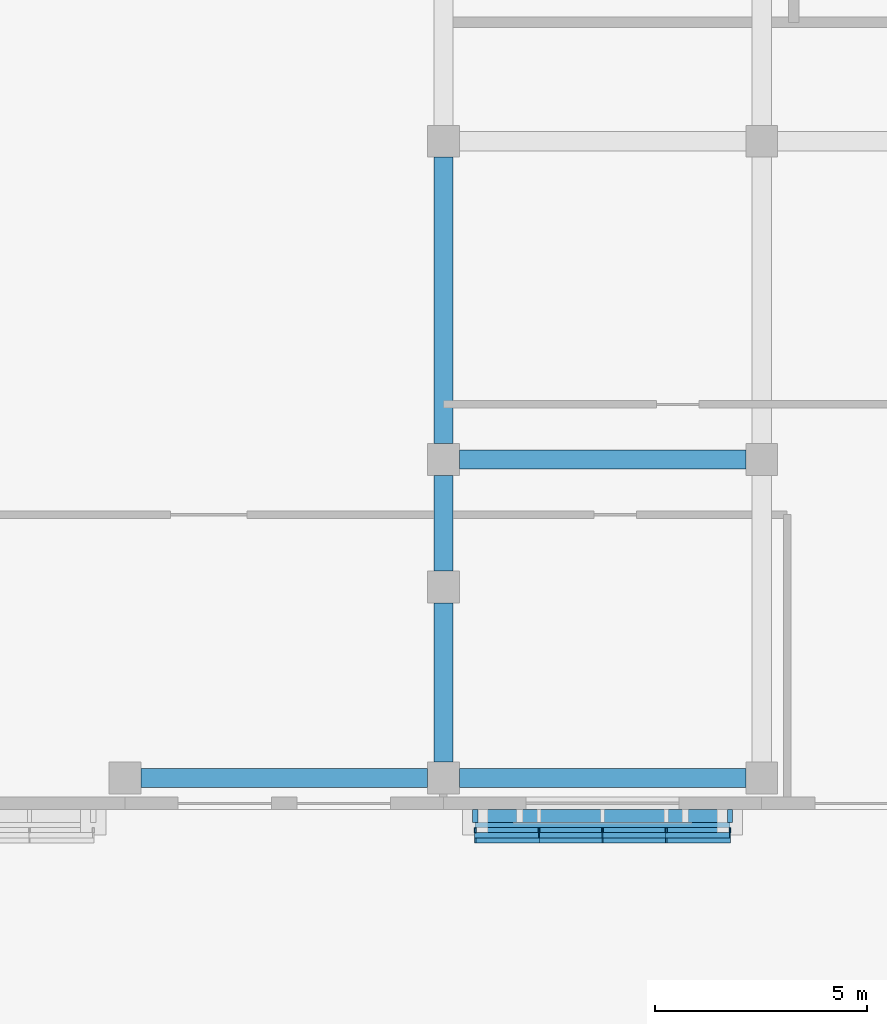
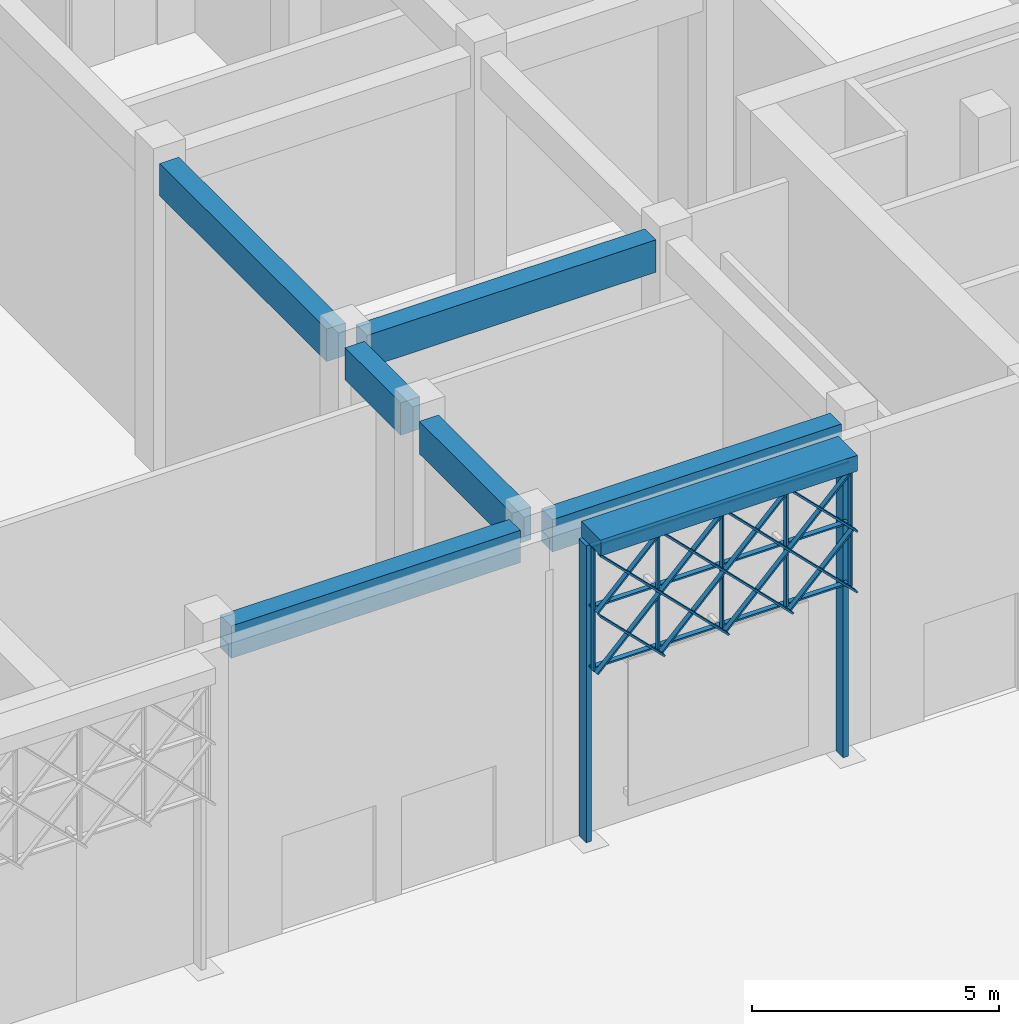
# One storey, part 3 of 64: 20 members, 7 beams.
"""IFC4 building model written with IfcOpenShell, lengths in metres."""

from ifc_helpers import new_model, si_unit, direction, frame, origin, origin_2d, place, context, subcontext, project, spatial, rectangle, extrude, material, material_profile, profile_set, type_object, element, save


model = new_model("IFC4")

# Units and contexts
model_context = context("Model", 3, precision=1e-05, world=origin(), true_north=direction((0.0, 1.0)))
body_context = subcontext(model_context, "Body", "Model", "MODEL_VIEW")
ifc_project = project(units=[si_unit("LENGTHUNIT", "METRE"), si_unit("AREAUNIT", "SQUARE_METRE"), si_unit("VOLUMEUNIT", "CUBIC_METRE"), si_unit("PLANEANGLEUNIT", "RADIAN"), si_unit("MASSUNIT", "GRAM", prefix="KILO")], contexts=[model_context])

# Site, building, storey
site_placement = place(None, origin())
site = spatial("IfcSite", under=ifc_project, at=site_placement, CompositionType="ELEMENT")
building_placement = place(site_placement, origin())
building = spatial("IfcBuilding", under=site, at=building_placement, Name="Tessera Arch", CompositionType="ELEMENT")
storey_placement = place(building_placement, origin())
storey = spatial("IfcBuildingStorey", under=building, at=storey_placement, Name="L00", CompositionType="ELEMENT", Elevation=0.0)

# Members
ifc_material_1 = material(Name="Anodised aluminium gold", Category="aluminium")
ifc_material_profile_1 = material_profile(ifc_material_1, rectangle(XDim=0.1201171875, YDim=0.0400390625, at=origin_2d()), Name="AL 40x120")
ifc_profile_set_1 = profile_set([ifc_material_profile_1], Name="Anodised aluminium gold")
member_type_1 = type_object("IfcMemberType", Name="Mashrabiya lattice blade", PredefinedType="USERDEFINED", material=ifc_profile_set_1)
for number, where, z_axis, x_axis, name in (
    (1, (-8.550048828125, -32.909912109375, 4.35009765625), (1.0, 0.0, 0.0), (0.0, 1.0, 0.0), "Lattice blade horizontal"),
    (2, (-8.550048828125, -32.909912109375, 5.85009765625), (1.0, 0.0, 0.0), (0.0, 1.0, 0.0), "Lattice blade horizontal"),
    (3, (-8.550048828125, -32.909912109375, 7.35009765625), (1.0, 0.0, 0.0), (0.0, 1.0, 0.0), "Lattice blade horizontal"),
):
    element("IfcMember", number, at=place(storey_placement, frame(where, z_axis=z_axis, x_axis=x_axis)), inside=storey, type_object=member_type_1, Name=name, ObjectType="FIN", PredefinedType="USERDEFINED", context=body_context, shape_type="SweptSolid", body=[
        extrude(rectangle(XDim=0.1201171875, YDim=0.0400390625, at=origin_2d()), origin(), (0.0, 0.0, 1.0), 6.0),
    ])
for number, where, z_axis, x_axis, name in (
    (4, (-8.550048828125, -33.030029296875, 4.35009765625), (0.0, 0.0, 1.0), (0.0, -1.0, 0.0), "Lattice blade vertical"),
    (5, (-7.050048828125, -33.030029296875, 4.35009765625), (0.0, 0.0, 1.0), (0.0, -1.0, 0.0), "Lattice blade vertical"),
    (6, (-5.550048828125, -33.030029296875, 4.35009765625), (0.0, 0.0, 1.0), (0.0, -1.0, 0.0), "Lattice blade vertical"),
    (7, (-4.050048828125, -33.030029296875, 4.35009765625), (0.0, 0.0, 1.0), (0.0, -1.0, 0.0), "Lattice blade vertical"),
    (8, (-2.550048828125, -33.030029296875, 4.35009765625), (0.0, 0.0, 1.0), (0.0, -1.0, 0.0), "Lattice blade vertical"),
):
    element("IfcMember", number, at=place(storey_placement, frame(where, z_axis=z_axis, x_axis=x_axis)), inside=storey, type_object=member_type_1, Name=name, ObjectType="FIN", PredefinedType="USERDEFINED", context=body_context, shape_type="SweptSolid", body=[
        extrude(rectangle(XDim=0.1201171875, YDim=0.0400390625, at=origin_2d()), origin(), (0.0, 0.0, 1.0), 3.02001953125),
    ])
member_1_placement = place(storey_placement, frame((-8.550048828125, -33.14990234375, 5.85009765625), z_axis=(0.707106781187, 0.0, 0.707106781187), x_axis=(0.0, 1.0, 0.0)))
element("IfcMember", 9, at=member_1_placement, inside=storey, type_object=member_type_1, Name="Lattice blade diagonal", ObjectType="FIN", PredefinedType="USERDEFINED", context=body_context, shape_type="SweptSolid", body=[
    extrude(rectangle(XDim=0.1201171875, YDim=0.0400390625, at=origin_2d()), origin(), (0.0, 0.0, 1.0), 2.121337890625),
])
for number, where, z_axis, x_axis, name in (
    (10, (-8.550048828125, -33.14990234375, 4.35009765625), (0.707106781187, 0.0, 0.707106781187), (0.0, 1.0, 0.0), "Lattice blade diagonal"),
    (11, (-7.050048828125, -33.14990234375, 4.35009765625), (0.707106781187, 0.0, 0.707106781187), (0.0, 1.0, 0.0), "Lattice blade diagonal"),
    (12, (-5.550048828125, -33.14990234375, 4.35009765625), (0.707106781187, 0.0, 0.707106781187), (0.0, 1.0, 0.0), "Lattice blade diagonal"),
):
    element("IfcMember", number, at=place(storey_placement, frame(where, z_axis=z_axis, x_axis=x_axis)), inside=storey, type_object=member_type_1, Name=name, ObjectType="FIN", PredefinedType="USERDEFINED", context=body_context, shape_type="SweptSolid", body=[
        extrude(rectangle(XDim=0.1201171875, YDim=0.0400390625, at=origin_2d()), origin(), (0.0, 0.0, 1.0), 4.24267578125),
    ])
for number, where, z_axis, x_axis, name in (
    (13, (-4.050048828125, -33.14990234375, 4.35009765625), (0.707106781187, 0.0, 0.707106781187), (0.0, 1.0, 0.0), "Lattice blade diagonal"),
    (14, (-8.550048828125, -33.27001953125, 5.85009765625), (0.707106781187, 0.0, -0.707106781187), (0.0, 1.0, 0.0), "Lattice blade diagonal"),
):
    element("IfcMember", number, at=place(storey_placement, frame(where, z_axis=z_axis, x_axis=x_axis)), inside=storey, type_object=member_type_1, Name=name, ObjectType="FIN", PredefinedType="USERDEFINED", context=body_context, shape_type="SweptSolid", body=[
        extrude(rectangle(XDim=0.1201171875, YDim=0.0400390625, at=origin_2d()), origin(), (0.0, 0.0, 1.0), 2.121337890625),
    ])
for number, where, z_axis, x_axis, name in (
    (15, (-8.550048828125, -33.27001953125, 7.35009765625), (0.707106781187, 0.0, -0.707106781187), (0.0, 1.0, 0.0), "Lattice blade diagonal"),
    (16, (-7.050048828125, -33.27001953125, 7.35009765625), (0.707106781187, 0.0, -0.707106781187), (0.0, 1.0, 0.0), "Lattice blade diagonal"),
    (17, (-5.550048828125, -33.27001953125, 7.35009765625), (0.707106781187, 0.0, -0.707106781187), (0.0, 1.0, 0.0), "Lattice blade diagonal"),
):
    element("IfcMember", number, at=place(storey_placement, frame(where, z_axis=z_axis, x_axis=x_axis)), inside=storey, type_object=member_type_1, Name=name, ObjectType="FIN", PredefinedType="USERDEFINED", context=body_context, shape_type="SweptSolid", body=[
        extrude(rectangle(XDim=0.1201171875, YDim=0.0400390625, at=origin_2d()), origin(), (0.0, 0.0, 1.0), 4.24267578125),
    ])
member_2_placement = place(storey_placement, frame((-4.050048828125, -33.27001953125, 7.35009765625), z_axis=(0.707106781187, 0.0, -0.707106781187), x_axis=(0.0, 1.0, 0.0)))
element("IfcMember", 18, at=member_2_placement, inside=storey, type_object=member_type_1, Name="Lattice blade diagonal", ObjectType="FIN", PredefinedType="USERDEFINED", context=body_context, shape_type="SweptSolid", body=[
    extrude(rectangle(XDim=0.1201171875, YDim=0.0400390625, at=origin_2d()), origin(), (0.0, 0.0, 1.0), 2.121337890625),
])

# Beams
ifc_material_2 = material(Name="Concrete C40/50", Category="concrete")
ifc_material_profile_2 = material_profile(ifc_material_2, rectangle(XDim=0.449951171875, YDim=0.800048828125, at=origin_2d()), Name="Museum beam 450 x 800 Concrete C40/50")
ifc_profile_set_2 = profile_set([ifc_material_profile_2], Name="Concrete C40/50")
beam_type_1 = type_object("IfcBeamType", Name="Museum beam 450 x 800 Concrete C40/50", PredefinedType="BEAM", material=ifc_profile_set_2)
beam_1_placement = place(storey_placement, frame((-9.300048828125, -31.425048828125, 7.18994140625), z_axis=(0.0, 1.0, 0.0), x_axis=(-1.0, 0.0, 0.0)))
element("IfcBeam", 19, at=beam_1_placement, inside=storey, type_object=beam_type_1, Name="Museum beam L00 21", PredefinedType="BEAM", context=body_context, shape_type="SweptSolid", body=[
    extrude(rectangle(XDim=0.449951171875, YDim=0.800048828125, at=origin_2d()), origin(), (0.0, 0.0, 1.0), 3.75),
])
beam_2_placement = place(storey_placement, frame((-9.300048828125, -26.925048828125, 7.18994140625), z_axis=(0.0, 1.0, 0.0), x_axis=(-1.0, 0.0, 0.0)))
element("IfcBeam", 20, at=beam_2_placement, inside=storey, type_object=beam_type_1, Name="Museum beam L00 22", PredefinedType="BEAM", context=body_context, shape_type="SweptSolid", body=[
    extrude(rectangle(XDim=0.449951171875, YDim=0.800048828125, at=origin_2d()), origin(), (0.0, 0.0, 1.0), 2.25),
])
for number, where, z_axis, x_axis, name in (
    (21, (-9.300048828125, -23.925048828125, 7.18994140625), (0.0, 1.0, 0.0), (-1.0, 0.0, 0.0), "Museum beam L00 23"),
    (22, (-16.425048828125, -31.800048828125, 7.18994140625), (1.0, 0.0, 0.0), (0.0, 1.0, 0.0), "Museum beam L00 51"),
    (23, (-8.925048828125, -31.800048828125, 7.18994140625), (1.0, 0.0, 0.0), (0.0, 1.0, 0.0), "Museum beam L00 52"),
    (24, (-8.925048828125, -24.300048828125, 7.18994140625), (1.0, 0.0, 0.0), (0.0, 1.0, 0.0), "Museum beam L00 53"),
):
    element("IfcBeam", number, at=place(storey_placement, frame(where, z_axis=z_axis, x_axis=x_axis)), inside=storey, type_object=beam_type_1, Name=name, PredefinedType="BEAM", context=body_context, shape_type="SweptSolid", body=[
        extrude(rectangle(XDim=0.449951171875, YDim=0.800048828125, at=origin_2d()), origin(), (0.0, 0.0, 1.0), 6.75),
    ])
ifc_material_3 = material(Name="Aluminium alloy 6063-T6", Category="aluminium")
ifc_material_profile_3 = material_profile(ifc_material_3, rectangle(XDim=0.780029296875, YDim=0.389892578125, at=origin_2d()), Name="AL 780x390")
ifc_profile_set_3 = profile_set([ifc_material_profile_3], Name="Aluminium alloy 6063-T6")
beam_type_2 = type_object("IfcBeamType", Name="Screen head beam", PredefinedType="BEAM", material=ifc_profile_set_3)
beam_3_placement = place(storey_placement, frame((-8.550048828125, -32.93994140625, 7.544921875), z_axis=(1.0, 0.0, 0.0), x_axis=(0.0, 1.0, 0.0)))
element("IfcBeam", 25, at=beam_3_placement, inside=storey, type_object=beam_type_2, Name="Screen head beam", PredefinedType="BEAM", context=body_context, shape_type="SweptSolid", body=[
    extrude(rectangle(XDim=0.780029296875, YDim=0.389892578125, at=origin_2d()), origin(), (0.0, 0.0, 1.0), 6.0),
])

# Members
ifc_material_4 = material(Name="Aluminium alloy 6063-T6", Category="aluminium")
ifc_material_profile_4 = material_profile(ifc_material_4, rectangle(XDim=0.300048828125, YDim=0.1201171875, at=origin_2d()), Name="AL 120x300")
ifc_profile_set_4 = profile_set([ifc_material_profile_4], Name="Aluminium alloy 6063-T6")
member_type_2 = type_object("IfcMemberType", Name="Screen post", PredefinedType="POST", material=ifc_profile_set_4)
for number, where, z_axis, x_axis, name in (
    (26, (-8.550048828125, -32.699951171875, 0.0), (0.0, 0.0, 1.0), (0.0, -1.0, 0.0), "Screen post"),
    (27, (-2.550048828125, -32.699951171875, 0.0), (0.0, 0.0, 1.0), (0.0, -1.0, 0.0), "Screen post"),
):
    element("IfcMember", number, at=place(storey_placement, frame(where, z_axis=z_axis, x_axis=x_axis)), inside=storey, type_object=member_type_2, Name=name, PredefinedType="POST", context=body_context, shape_type="SweptSolid", body=[
        extrude(rectangle(XDim=0.300048828125, YDim=0.1201171875, at=origin_2d()), origin(), (0.0, 0.0, 1.0), 7.330078125),
    ])

save(model, "model.ifc")
